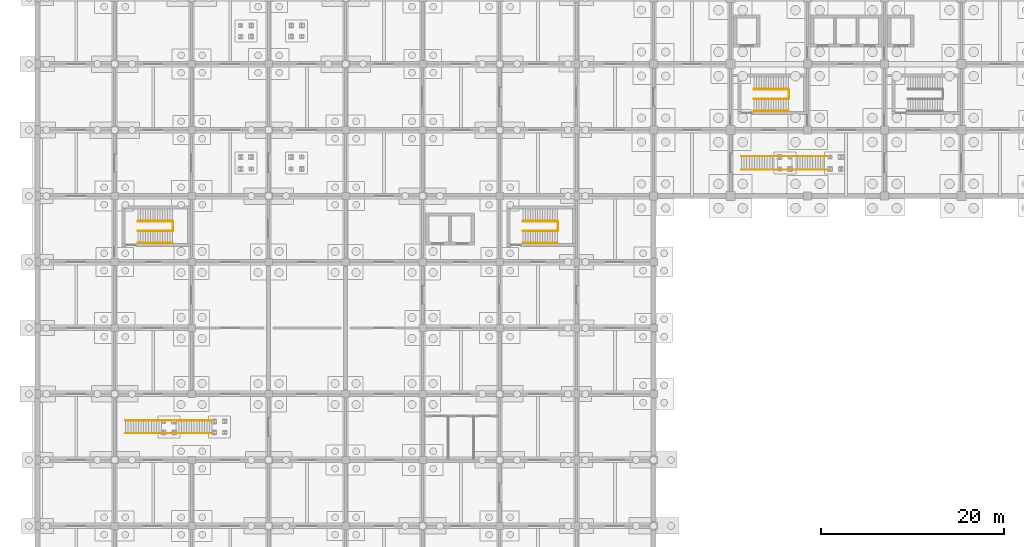
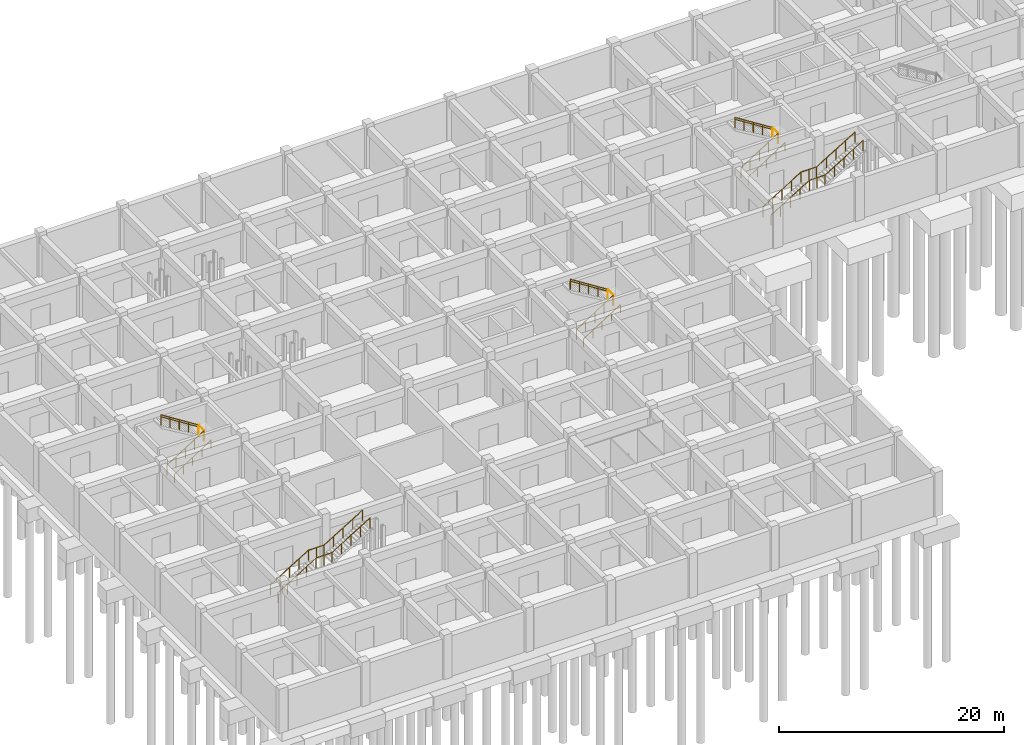
# One storey, part 37 of 38: 27 railings.
"""IFC4 building model written with IfcOpenShell, lengths in metres."""

import ifcopenshell
import ifcopenshell.guid

model = None  # the IFC model being written
_history = None  # IfcOwnerHistory: only IFC2X3 demands one
_inside = {}  # id of a spatial element -> (the spatial element, [elements in it])
_under = {}  # id of a project, library or spatial element -> (it, [spatial elements below it])
_declared = {}  # id of a project -> (the project, [libraries it declares])
_typed = {}  # id of a type object -> (the type object, [elements of that type])
_made_of = {}  # id of a material, layer set ... -> (it, [elements and type objects made of it])


def new_model(schema):
    """Start an empty IFC model of exactly this schema.

    Asked for "IFC4X3", IfcOpenShell would pick the latest addendum, in which some entities
    have other attributes; the version numbers below select the first issue.
    IFC2X3 requires an IfcOwnerHistory on every rooted entity: one is made here for all.
    """
    global model, _history
    if schema == "IFC4X3":
        model = ifcopenshell.file(schema_version=(4, 3, 0, 0))
    else:
        model = ifcopenshell.file(schema=schema)
    _inside.clear()
    _under.clear()
    _declared.clear()
    _typed.clear()
    _made_of.clear()
    _history = None
    if model.schema == "IFC2X3":
        org = make("IfcOrganization", Name="unknown")
        user = make(
            "IfcPersonAndOrganization",
            ThePerson=make("IfcPerson", FamilyName="unknown"),
            TheOrganization=org,
        )
        app = make(
            "IfcApplication",
            ApplicationDeveloper=org,
            Version="unknown",
            ApplicationFullName="unknown",
            ApplicationIdentifier="unknown",
        )
        _history = make(
            "IfcOwnerHistory",
            OwningUser=user,
            OwningApplication=app,
            ChangeAction="ADDED",
            CreationDate=0,
        )
    return model


def make(cls, **values):
    """One entity of the class cls with the attributes given. An attribute that is None is left unset."""
    return model.create_entity(
        cls, **{name: value for name, value in values.items() if value is not None}
    )


def rooted(cls, **values):
    """An entity with a GlobalId (a new one), such as an element, a storey or a relation."""
    return make(cls, GlobalId=ifcopenshell.guid.new(), OwnerHistory=_history, **values)


def si_unit(unit_type, name, prefix=None):
    """IfcSIUnit, for example si_unit("LENGTHUNIT", "METRE", prefix="MILLI")."""
    return make("IfcSIUnit", UnitType=unit_type, Prefix=prefix, Name=name)


def derived_unit(unit_type, elements):
    """IfcDerivedUnit: a product of units, each with its exponent."""
    return make(
        "IfcDerivedUnit",
        Elements=[
            make("IfcDerivedUnitElement", Unit=unit, Exponent=power)
            for unit, power in elements
        ],
        UnitType=unit_type,
    )


def assignment(units):
    """IfcUnitAssignment: the units of a project."""
    return None if units is None else make("IfcUnitAssignment", Units=units)


def point(xyz):
    """IfcCartesianPoint."""
    return None if xyz is None else make("IfcCartesianPoint", Coordinates=xyz)


def direction(xyz):
    """IfcDirection."""
    return None if xyz is None else make("IfcDirection", DirectionRatios=xyz)


def frame(location, z_axis=None, x_axis=None):
    """IfcAxis2Placement3D, a coordinate frame: its origin and axes. An axis left out is left unset."""
    return make(
        "IfcAxis2Placement3D",
        Location=point(location),
        Axis=direction(z_axis),
        RefDirection=direction(x_axis),
    )


def frame_2d(location, x_axis=None):
    """IfcAxis2Placement2D, a coordinate frame in the plane: its origin and x axis."""
    return make(
        "IfcAxis2Placement2D", Location=point(location), RefDirection=direction(x_axis)
    )


def origin():
    """The frame at (0, 0, 0) with its axes left unset."""
    return frame((0.0, 0.0, 0.0))


def origin_2d():
    """The frame at (0, 0) in the plane with its x axis left unset."""
    return frame_2d((0.0, 0.0))


def place(relative_to, where):
    """IfcLocalPlacement: puts the frame where relative to a parent placement (None: the world)."""
    return make(
        "IfcLocalPlacement", PlacementRelTo=relative_to, RelativePlacement=where
    )


def context(
    kind, dimensions, precision=None, world=None, true_north=None, identifier=None
):
    """IfcGeometricRepresentationContext, for example the 3D "Model" context."""
    return make(
        "IfcGeometricRepresentationContext",
        ContextIdentifier=identifier,
        ContextType=kind,
        CoordinateSpaceDimension=dimensions,
        Precision=precision,
        WorldCoordinateSystem=world,
        TrueNorth=true_north,
    )


def subcontext(parent, identifier, kind, view, scale=None):
    """IfcGeometricRepresentationSubContext, for example "Body" below "Model"."""
    return make(
        "IfcGeometricRepresentationSubContext",
        ContextIdentifier=identifier,
        ContextType=kind,
        ParentContext=parent,
        TargetScale=scale,
        TargetView=view,
    )


def project(units=None, contexts=None):
    """IfcProject with its units and contexts."""
    return rooted(
        "IfcProject",
        Name="project",
        RepresentationContexts=contexts,
        UnitsInContext=assignment(units),
    )


def spatial(cls, under=None, at=None, **own):
    """A site, building, storey or space (cls), placed at a placement, below another one or the project."""
    s = rooted(cls, ObjectPlacement=at, **own)
    if under is not None:
        _under.setdefault(under.id(), (under, []))[1].append(s)
    return s


def profile(cls, at=None, kind="AREA", **sizes):
    """A parametric profile (cls). Its sizes go by their IFC names, for example OverallWidth=200.0."""
    return make(cls, ProfileType=kind, Position=at, **sizes)


def circle(**sizes):
    """IfcCircleProfileDef."""
    return profile("IfcCircleProfileDef", **sizes)


def extrude(swept, where, along, depth):
    """IfcExtrudedAreaSolid: the profile swept, set in the frame where, extruded along a direction by depth."""
    return make(
        "IfcExtrudedAreaSolid",
        SweptArea=swept,
        Position=where,
        ExtrudedDirection=direction(along),
        Depth=depth,
    )


def shape(context_of_items, identifier, shape_type, items):
    """IfcShapeRepresentation: the items that make up one representation, for example the "Body"."""
    return make(
        "IfcShapeRepresentation",
        ContextOfItems=context_of_items,
        RepresentationIdentifier=identifier,
        RepresentationType=shape_type,
        Items=items,
    )


def material(Name=None, Category=None):
    """IfcMaterial."""
    return make("IfcMaterial", Name=Name, Category=Category)


def layer(
    of_material, thickness, ventilated=None, Name=None, Category=None, Priority=None
):
    """IfcMaterialLayer: one layer of a wall or slab, of a material (None: an air gap)."""
    return make(
        "IfcMaterialLayer",
        Material=of_material,
        LayerThickness=thickness,
        IsVentilated=ventilated,
        Name=Name,
        Category=Category,
        Priority=Priority,
    )


def layer_set(layers, Name=None):
    """IfcMaterialLayerSet."""
    return make("IfcMaterialLayerSet", MaterialLayers=layers, LayerSetName=Name)


def made_of(thing, what):
    """Note that an element or type object is made of a material, layer set ...; save() writes the relation."""
    if what is not None:
        _made_of.setdefault(what.id(), (what, []))[1].append(thing)
    return thing


def type_object(cls, material=None, **own):
    """A type object (cls), such as IfcWallType, which elements share."""
    return made_of(rooted(cls, **own), material)


def element(
    cls,
    number,
    at=None,
    inside=None,
    cuts=None,
    type_object=None,
    material=None,
    context=None,
    identifier="Body",
    shape_type=None,
    held_by="IfcProductDefinitionShape",
    body=None,
    shapes=None,
    **own,
):
    """One element of the class cls, such as IfcWall. Its Tag is "e" and its number.

    at: its placement. inside: the storey or other place that contains it. cuts: it is an
    opening in that element (IfcRelVoidsElement). A single representation is given by context,
    identifier, shape_type and body (its items); several are given by shapes. held_by: the class
    of the entity that holds the representations. save() writes the other relations.
    """
    e = rooted(cls, Tag="e%d" % number, ObjectPlacement=at, **own)
    if body is not None:
        shapes = [shape(context, identifier, shape_type, body)]
    if shapes is not None:
        e.Representation = make(held_by, Representations=shapes)
    if inside is not None:
        _inside.setdefault(inside.id(), (inside, []))[1].append(e)
    if cuts is not None:
        rooted(
            "IfcRelVoidsElement", RelatingBuildingElement=cuts, RelatedOpeningElement=e
        )
    if type_object is not None:
        _typed.setdefault(type_object.id(), (type_object, []))[1].append(e)
    return made_of(e, material)


def aggregate(whole, parts):
    """IfcRelAggregates: a whole, such as a stair, and the parts it consists of."""
    return rooted("IfcRelAggregates", RelatingObject=whole, RelatedObjects=parts)


def save(model, path):
    """Write the relations noted so far, then the file.

    IfcRelAggregates (storeys below a building ...), IfcRelContainedInSpatialStructure (elements
    in a storey), IfcRelDefinesByType, IfcRelAssociatesMaterial and IfcRelDeclares: one each for
    every whole, place, type object, material and project.
    """
    for whole, parts in _under.values():
        aggregate(whole, parts)
    for where, things in _inside.values():
        rooted(
            "IfcRelContainedInSpatialStructure",
            RelatedElements=things,
            RelatingStructure=where,
        )
    for kind, things in _typed.values():
        rooted("IfcRelDefinesByType", RelatedObjects=things, RelatingType=kind)
    for what, things in _made_of.values():
        rooted("IfcRelAssociatesMaterial", RelatedObjects=things, RelatingMaterial=what)
    for by, libraries in _declared.values():
        rooted("IfcRelDeclares", RelatingContext=by, RelatedDefinitions=libraries)
    model.write(path)


model = new_model("IFC4")

# Units and contexts
model_context = context("Model", 3, precision=1e-05, world=origin(), true_north=direction((0.0, 1.0)))
body_context = subcontext(model_context, "Body", "Model", "MODEL_VIEW")
ifc_project = project(units=[si_unit("LENGTHUNIT", "METRE"), si_unit("AREAUNIT", "SQUARE_METRE"), si_unit("VOLUMEUNIT", "CUBIC_METRE"), si_unit("PLANEANGLEUNIT", "RADIAN"), si_unit("MASSUNIT", "GRAM", prefix="KILO"), derived_unit("THERMALTRANSMITTANCEUNIT", [(si_unit("MASSUNIT", "GRAM", prefix="KILO"), 1), (si_unit("TIMEUNIT", "SECOND"), -3), (si_unit("THERMODYNAMICTEMPERATUREUNIT", "KELVIN"), -1)])], contexts=[model_context])

# Site, building, storey
site_placement = place(None, origin())
site = spatial("IfcSite", under=ifc_project, at=site_placement, CompositionType="ELEMENT")
building_placement = place(site_placement, origin())
building = spatial("IfcBuilding", under=site, at=building_placement, Name="Veldstrom Oceanarium and Marine Research Institute", CompositionType="ELEMENT")
storey_placement = place(building_placement, frame((0.0, 0.0, -9.60009765625)))
storey = spatial("IfcBuildingStorey", under=building, at=storey_placement, Name="B02", CompositionType="ELEMENT", Elevation=-9.60009765625)

# Railings
ifc_material_1 = material(Name="Duplex Stainless Steel Balustrade", Category="steel")
ifc_layer_1 = layer(ifc_material_1, 0.06005859375)
ifc_layer_set_1 = layer_set([ifc_layer_1], Name="ARC-RLG-GR1")
railing_type_1 = type_object("IfcRailingType", Name="ARC-RLG-GR1", PredefinedType="GUARDRAIL", material=ifc_layer_set_1)
railing_1_placement = place(storey_placement, frame((78.139892578125, 53.760009765625, 0.0)))
element("IfcRailing", 1, at=railing_1_placement, inside=storey, type_object=railing_type_1, Name="Stair Flight Guardrail ST1-B02-1", PredefinedType="GUARDRAIL", context=body_context, shape_type="SweptSolid", body=[
    extrude(circle(Radius=0.02392578125, at=origin_2d()), frame((0.0, 0.0, 1.09619140625), z_axis=(0.844199891302, 0.0, 0.536028491338), x_axis=(0.0, 1.0, 0.0)), (0.0, 0.0, 1.0), 4.4775390625),
    extrude(circle(Radius=0.02099609375, at=origin_2d()), origin(), (0.0, 0.0, 1.0), 1.072021484375),
    extrude(circle(Radius=0.02099609375, at=origin_2d()), frame((0.945068359375, 0.0, 0.60009765625)), (0.0, 0.0, 1.0), 1.072021484375),
    extrude(circle(Radius=0.02099609375, at=origin_2d()), frame((1.89013671875, 0.0, 1.2001953125)), (0.0, 0.0, 1.0), 1.072021484375),
    extrude(circle(Radius=0.02099609375, at=origin_2d()), frame((2.8349609375, 0.0, 1.800048828125)), (0.0, 0.0, 1.0), 1.072021484375),
    extrude(circle(Radius=0.02099609375, at=origin_2d()), frame((3.780029296875, 0.0, 2.400146484375)), (0.0, 0.0, 1.0), 1.072021484375),
])
railing_2_placement = place(storey_placement, frame((81.9599609375, 53.800048828125, 2.400146484375)))
element("IfcRailing", 2, at=railing_2_placement, inside=storey, type_object=railing_type_1, Name="Stair Half-Landing Guardrail ST1-B02", PredefinedType="GUARDRAIL", context=body_context, shape_type="SweptSolid", body=[
    extrude(circle(Radius=0.02392578125, at=origin_2d()), frame((0.0, 0.0, 1.09619140625), z_axis=(0.0, 1.0, 0.0), x_axis=(-1.0, 0.0, 0.0)), (0.0, 0.0, 1.0), 1.0),
    extrude(circle(Radius=0.02099609375, at=origin_2d()), origin(), (0.0, 0.0, 1.0), 1.072021484375),
    extrude(circle(Radius=0.02099609375, at=origin_2d()), frame((0.0, 1.0, 0.0)), (0.0, 0.0, 1.0), 1.072021484375),
])
railing_3_placement = place(storey_placement, frame((81.919921875, 54.840087890625, 2.400146484375)))
element("IfcRailing", 3, at=railing_3_placement, inside=storey, type_object=railing_type_1, Name="Stair Flight Guardrail ST1-B02-2", PredefinedType="GUARDRAIL", context=body_context, shape_type="SweptSolid", body=[
    extrude(circle(Radius=0.02392578125, at=origin_2d()), frame((0.0, 0.0, 1.09619140625), z_axis=(-0.844224564207, 0.0, 0.535989631606), x_axis=(0.0, -1.0, 0.0)), (0.0, 0.0, 1.0), 4.4775390625),
    extrude(circle(Radius=0.02099609375, at=origin_2d()), origin(), (0.0, 0.0, 1.0), 1.072021484375),
    extrude(circle(Radius=0.02099609375, at=origin_2d()), frame((-0.945068359375, 0.0, 0.60009765625)), (0.0, 0.0, 1.0), 1.072021484375),
    extrude(circle(Radius=0.02099609375, at=origin_2d()), frame((-1.89013671875, 0.0, 1.199951171875)), (0.0, 0.0, 1.0), 1.072021484375),
    extrude(circle(Radius=0.02099609375, at=origin_2d()), frame((-2.8349609375, 0.0, 1.7998046875)), (0.0, 0.0, 1.0), 1.072021484375),
    extrude(circle(Radius=0.02099609375, at=origin_2d()), frame((-3.780029296875, 0.0, 2.39990234375)), (0.0, 0.0, 1.0), 1.072021484375),
])
railing_4_placement = place(storey_placement, frame((10.93994140625, 39.360107421875, 0.0)))
element("IfcRailing", 4, at=railing_4_placement, inside=storey, type_object=railing_type_1, Name="Stair Flight Guardrail ST3-B02-1", PredefinedType="GUARDRAIL", context=body_context, shape_type="SweptSolid", body=[
    extrude(circle(Radius=0.02392578125, at=origin_2d()), frame((0.0, 0.0, 1.09619140625), z_axis=(0.844199891302, 0.0, 0.536028491338), x_axis=(0.0, 1.0, 0.0)), (0.0, 0.0, 1.0), 4.4775390625),
    extrude(circle(Radius=0.02099609375, at=origin_2d()), origin(), (0.0, 0.0, 1.0), 1.072021484375),
    extrude(circle(Radius=0.02099609375, at=origin_2d()), frame((0.945068359375, 0.0, 0.60009765625)), (0.0, 0.0, 1.0), 1.072021484375),
    extrude(circle(Radius=0.02099609375, at=origin_2d()), frame((1.89013671875, 0.0, 1.2001953125)), (0.0, 0.0, 1.0), 1.072021484375),
    extrude(circle(Radius=0.02099609375, at=origin_2d()), frame((2.8349609375, 0.0, 1.800048828125)), (0.0, 0.0, 1.0), 1.072021484375),
    extrude(circle(Radius=0.02099609375, at=origin_2d()), frame((3.780029296875, 0.0, 2.400146484375)), (0.0, 0.0, 1.0), 1.072021484375),
])
railing_5_placement = place(storey_placement, frame((14.760009765625, 39.39990234375, 2.400146484375)))
element("IfcRailing", 5, at=railing_5_placement, inside=storey, type_object=railing_type_1, Name="Stair Half-Landing Guardrail ST3-B02", PredefinedType="GUARDRAIL", context=body_context, shape_type="SweptSolid", body=[
    extrude(circle(Radius=0.02392578125, at=origin_2d()), frame((0.0, 0.0, 1.09619140625), z_axis=(0.0, 1.0, 0.0), x_axis=(-1.0, 0.0, 0.0)), (0.0, 0.0, 1.0), 1.0),
    extrude(circle(Radius=0.02099609375, at=origin_2d()), origin(), (0.0, 0.0, 1.0), 1.072021484375),
    extrude(circle(Radius=0.02099609375, at=origin_2d()), frame((0.0, 1.0, 0.0)), (0.0, 0.0, 1.0), 1.072021484375),
])
railing_6_placement = place(storey_placement, frame((14.719970703125, 40.43994140625, 2.400146484375)))
element("IfcRailing", 6, at=railing_6_placement, inside=storey, type_object=railing_type_1, Name="Stair Flight Guardrail ST3-B02-2", PredefinedType="GUARDRAIL", context=body_context, shape_type="SweptSolid", body=[
    extrude(circle(Radius=0.02392578125, at=origin_2d()), frame((0.0, 0.0, 1.09619140625), z_axis=(-0.844224564207, 0.0, 0.535989631606), x_axis=(0.0, -1.0, 0.0)), (0.0, 0.0, 1.0), 4.4775390625),
    extrude(circle(Radius=0.02099609375, at=origin_2d()), origin(), (0.0, 0.0, 1.0), 1.072021484375),
    extrude(circle(Radius=0.02099609375, at=origin_2d()), frame((-0.945068359375, 0.0, 0.60009765625)), (0.0, 0.0, 1.0), 1.072021484375),
    extrude(circle(Radius=0.02099609375, at=origin_2d()), frame((-1.89013671875, 0.0, 1.199951171875)), (0.0, 0.0, 1.0), 1.072021484375),
    extrude(circle(Radius=0.02099609375, at=origin_2d()), frame((-2.8349609375, 0.0, 1.7998046875)), (0.0, 0.0, 1.0), 1.072021484375),
    extrude(circle(Radius=0.02099609375, at=origin_2d()), frame((-3.780029296875, 0.0, 2.39990234375)), (0.0, 0.0, 1.0), 1.072021484375),
])
railing_7_placement = place(storey_placement, frame((52.93994140625, 39.360107421875, 0.0)))
element("IfcRailing", 7, at=railing_7_placement, inside=storey, type_object=railing_type_1, Name="Stair Flight Guardrail ST6-B02-1", PredefinedType="GUARDRAIL", context=body_context, shape_type="SweptSolid", body=[
    extrude(circle(Radius=0.02392578125, at=origin_2d()), frame((0.0, 0.0, 1.09619140625), z_axis=(0.844199891302, 0.0, 0.536028491338), x_axis=(0.0, 1.0, 0.0)), (0.0, 0.0, 1.0), 4.4775390625),
    extrude(circle(Radius=0.02099609375, at=origin_2d()), origin(), (0.0, 0.0, 1.0), 1.072021484375),
    extrude(circle(Radius=0.02099609375, at=origin_2d()), frame((0.945068359375, 0.0, 0.60009765625)), (0.0, 0.0, 1.0), 1.072021484375),
    extrude(circle(Radius=0.02099609375, at=origin_2d()), frame((1.89013671875, 0.0, 1.2001953125)), (0.0, 0.0, 1.0), 1.072021484375),
    extrude(circle(Radius=0.02099609375, at=origin_2d()), frame((2.8349609375, 0.0, 1.800048828125)), (0.0, 0.0, 1.0), 1.072021484375),
    extrude(circle(Radius=0.02099609375, at=origin_2d()), frame((3.780029296875, 0.0, 2.400146484375)), (0.0, 0.0, 1.0), 1.072021484375),
])
railing_8_placement = place(storey_placement, frame((56.760009765625, 39.39990234375, 2.400146484375)))
element("IfcRailing", 8, at=railing_8_placement, inside=storey, type_object=railing_type_1, Name="Stair Half-Landing Guardrail ST6-B02", PredefinedType="GUARDRAIL", context=body_context, shape_type="SweptSolid", body=[
    extrude(circle(Radius=0.02392578125, at=origin_2d()), frame((0.0, 0.0, 1.09619140625), z_axis=(0.0, 1.0, 0.0), x_axis=(-1.0, 0.0, 0.0)), (0.0, 0.0, 1.0), 1.0),
    extrude(circle(Radius=0.02099609375, at=origin_2d()), origin(), (0.0, 0.0, 1.0), 1.072021484375),
    extrude(circle(Radius=0.02099609375, at=origin_2d()), frame((0.0, 1.0, 0.0)), (0.0, 0.0, 1.0), 1.072021484375),
])
railing_9_placement = place(storey_placement, frame((56.719970703125, 40.43994140625, 2.400146484375)))
element("IfcRailing", 9, at=railing_9_placement, inside=storey, type_object=railing_type_1, Name="Stair Flight Guardrail ST6-B02-2", PredefinedType="GUARDRAIL", context=body_context, shape_type="SweptSolid", body=[
    extrude(circle(Radius=0.02392578125, at=origin_2d()), frame((0.0, 0.0, 1.09619140625), z_axis=(-0.844224564207, 0.0, 0.535989631606), x_axis=(0.0, -1.0, 0.0)), (0.0, 0.0, 1.0), 4.4775390625),
    extrude(circle(Radius=0.02099609375, at=origin_2d()), origin(), (0.0, 0.0, 1.0), 1.072021484375),
    extrude(circle(Radius=0.02099609375, at=origin_2d()), frame((-0.945068359375, 0.0, 0.60009765625)), (0.0, 0.0, 1.0), 1.072021484375),
    extrude(circle(Radius=0.02099609375, at=origin_2d()), frame((-1.89013671875, 0.0, 1.199951171875)), (0.0, 0.0, 1.0), 1.072021484375),
    extrude(circle(Radius=0.02099609375, at=origin_2d()), frame((-2.8349609375, 0.0, 1.7998046875)), (0.0, 0.0, 1.0), 1.072021484375),
    extrude(circle(Radius=0.02099609375, at=origin_2d()), frame((-3.780029296875, 0.0, 2.39990234375)), (0.0, 0.0, 1.0), 1.072021484375),
])
railing_10_placement = place(storey_placement, frame((9.60009765625, 17.31494140625, 0.0)))
element("IfcRailing", 10, at=railing_10_placement, inside=storey, type_object=railing_type_1, Name="Gallery Stair Flight Guard ST5-01-1S", PredefinedType="GUARDRAIL", context=body_context, shape_type="SweptSolid", body=[
    extrude(circle(Radius=0.02392578125, at=origin_2d()), frame((0.0, 0.0, 1.09619140625), z_axis=(0.852832477147, 0.0, 0.522184609045), x_axis=(0.0, 1.0, 0.0)), (0.0, 0.0, 1.0), 4.596435546875),
    extrude(circle(Radius=0.02099609375, at=origin_2d()), origin(), (0.0, 0.0, 1.0), 1.072021484375),
    extrude(circle(Radius=0.02099609375, at=origin_2d()), frame((0.97998046875, 0.0, 0.60009765625)), (0.0, 0.0, 1.0), 1.072021484375),
    extrude(circle(Radius=0.02099609375, at=origin_2d()), frame((1.9599609375, 0.0, 1.2001953125)), (0.0, 0.0, 1.0), 1.072021484375),
    extrude(circle(Radius=0.02099609375, at=origin_2d()), frame((2.93994140625, 0.0, 1.800048828125)), (0.0, 0.0, 1.0), 1.072021484375),
    extrude(circle(Radius=0.02099609375, at=origin_2d()), frame((3.919921875, 0.0, 2.400146484375)), (0.0, 0.0, 1.0), 1.072021484375),
])
railing_11_placement = place(storey_placement, frame((13.52001953125, 17.31494140625, 2.400146484375)))
element("IfcRailing", 11, at=railing_11_placement, inside=storey, type_object=railing_type_1, Name="Gallery Stair Landing Guard ST5-01-MS", PredefinedType="GUARDRAIL", context=body_context, shape_type="SweptSolid", body=[
    extrude(circle(Radius=0.02392578125, at=origin_2d()), frame((0.0, 0.0, 1.09619140625), z_axis=(1.0, 0.0, 0.0), x_axis=(0.0, 1.0, 0.0)), (0.0, 0.0, 1.0), 1.60009765625),
    extrude(circle(Radius=0.02099609375, at=origin_2d()), origin(), (0.0, 0.0, 1.0), 1.072021484375),
    extrude(circle(Radius=0.02099609375, at=origin_2d()), frame((0.800048828125, 0.0, 0.0)), (0.0, 0.0, 1.0), 1.072021484375),
    extrude(circle(Radius=0.02099609375, at=origin_2d()), frame((1.60009765625, 0.0, 0.0)), (0.0, 0.0, 1.0), 1.072021484375),
])
railing_12_placement = place(storey_placement, frame((15.1201171875, 17.31494140625, 2.400146484375)))
element("IfcRailing", 12, at=railing_12_placement, inside=storey, type_object=railing_type_1, Name="Gallery Stair Flight Guard ST5-01-2S", PredefinedType="GUARDRAIL", context=body_context, shape_type="SweptSolid", body=[
    extrude(circle(Radius=0.02392578125, at=origin_2d()), frame((0.0, 0.0, 1.09619140625), z_axis=(0.852856131449, 0.0, 0.522145974847), x_axis=(0.0, 1.0, 0.0)), (0.0, 0.0, 1.0), 4.59619140625),
    extrude(circle(Radius=0.02099609375, at=origin_2d()), origin(), (0.0, 0.0, 1.0), 1.072021484375),
    extrude(circle(Radius=0.02099609375, at=origin_2d()), frame((0.97998046875, 0.0, 0.60009765625)), (0.0, 0.0, 1.0), 1.072021484375),
    extrude(circle(Radius=0.02099609375, at=origin_2d()), frame((1.9599609375, 0.0, 1.199951171875)), (0.0, 0.0, 1.0), 1.072021484375),
    extrude(circle(Radius=0.02099609375, at=origin_2d()), frame((2.93994140625, 0.0, 1.7998046875)), (0.0, 0.0, 1.0), 1.072021484375),
    extrude(circle(Radius=0.02099609375, at=origin_2d()), frame((3.919921875, 0.0, 2.39990234375)), (0.0, 0.0, 1.0), 1.072021484375),
])
railing_13_placement = place(storey_placement, frame((9.60009765625, 18.68505859375, 0.0)))
element("IfcRailing", 13, at=railing_13_placement, inside=storey, type_object=railing_type_1, Name="Gallery Stair Flight Guard ST5-01-1N", PredefinedType="GUARDRAIL", context=body_context, shape_type="SweptSolid", body=[
    extrude(circle(Radius=0.02392578125, at=origin_2d()), frame((0.0, 0.0, 1.09619140625), z_axis=(0.852832477147, 0.0, 0.522184609045), x_axis=(0.0, 1.0, 0.0)), (0.0, 0.0, 1.0), 4.596435546875),
    extrude(circle(Radius=0.02099609375, at=origin_2d()), origin(), (0.0, 0.0, 1.0), 1.072021484375),
    extrude(circle(Radius=0.02099609375, at=origin_2d()), frame((0.97998046875, 0.0, 0.60009765625)), (0.0, 0.0, 1.0), 1.072021484375),
    extrude(circle(Radius=0.02099609375, at=origin_2d()), frame((1.9599609375, 0.0, 1.2001953125)), (0.0, 0.0, 1.0), 1.072021484375),
    extrude(circle(Radius=0.02099609375, at=origin_2d()), frame((2.93994140625, 0.0, 1.800048828125)), (0.0, 0.0, 1.0), 1.072021484375),
    extrude(circle(Radius=0.02099609375, at=origin_2d()), frame((3.919921875, 0.0, 2.400146484375)), (0.0, 0.0, 1.0), 1.072021484375),
])
railing_14_placement = place(storey_placement, frame((13.52001953125, 18.68505859375, 2.400146484375)))
element("IfcRailing", 14, at=railing_14_placement, inside=storey, type_object=railing_type_1, Name="Gallery Stair Landing Guard ST5-01-MN", PredefinedType="GUARDRAIL", context=body_context, shape_type="SweptSolid", body=[
    extrude(circle(Radius=0.02392578125, at=origin_2d()), frame((0.0, 0.0, 1.09619140625), z_axis=(1.0, 0.0, 0.0), x_axis=(0.0, 1.0, 0.0)), (0.0, 0.0, 1.0), 1.60009765625),
    extrude(circle(Radius=0.02099609375, at=origin_2d()), origin(), (0.0, 0.0, 1.0), 1.072021484375),
    extrude(circle(Radius=0.02099609375, at=origin_2d()), frame((0.800048828125, 0.0, 0.0)), (0.0, 0.0, 1.0), 1.072021484375),
    extrude(circle(Radius=0.02099609375, at=origin_2d()), frame((1.60009765625, 0.0, 0.0)), (0.0, 0.0, 1.0), 1.072021484375),
])
railing_15_placement = place(storey_placement, frame((15.1201171875, 18.68505859375, 2.400146484375)))
element("IfcRailing", 15, at=railing_15_placement, inside=storey, type_object=railing_type_1, Name="Gallery Stair Flight Guard ST5-01-2N", PredefinedType="GUARDRAIL", context=body_context, shape_type="SweptSolid", body=[
    extrude(circle(Radius=0.02392578125, at=origin_2d()), frame((0.0, 0.0, 1.09619140625), z_axis=(0.852856131449, 0.0, 0.522145974847), x_axis=(0.0, 1.0, 0.0)), (0.0, 0.0, 1.0), 4.59619140625),
    extrude(circle(Radius=0.02099609375, at=origin_2d()), origin(), (0.0, 0.0, 1.0), 1.072021484375),
    extrude(circle(Radius=0.02099609375, at=origin_2d()), frame((0.97998046875, 0.0, 0.60009765625)), (0.0, 0.0, 1.0), 1.072021484375),
    extrude(circle(Radius=0.02099609375, at=origin_2d()), frame((1.9599609375, 0.0, 1.199951171875)), (0.0, 0.0, 1.0), 1.072021484375),
    extrude(circle(Radius=0.02099609375, at=origin_2d()), frame((2.93994140625, 0.0, 1.7998046875)), (0.0, 0.0, 1.0), 1.072021484375),
    extrude(circle(Radius=0.02099609375, at=origin_2d()), frame((3.919921875, 0.0, 2.39990234375)), (0.0, 0.0, 1.0), 1.072021484375),
])
railing_16_placement = place(storey_placement, frame((76.800048828125, 46.06494140625, 0.0)))
element("IfcRailing", 16, at=railing_16_placement, inside=storey, type_object=railing_type_1, Name="Gallery Stair Flight Guard ST5-02-1S", PredefinedType="GUARDRAIL", context=body_context, shape_type="SweptSolid", body=[
    extrude(circle(Radius=0.02392578125, at=origin_2d()), frame((0.0, 0.0, 1.09619140625), z_axis=(0.852832477147, 0.0, 0.522184609045), x_axis=(0.0, 1.0, 0.0)), (0.0, 0.0, 1.0), 4.596435546875),
    extrude(circle(Radius=0.02099609375, at=origin_2d()), origin(), (0.0, 0.0, 1.0), 1.072021484375),
    extrude(circle(Radius=0.02099609375, at=origin_2d()), frame((0.97998046875, 0.0, 0.60009765625)), (0.0, 0.0, 1.0), 1.072021484375),
    extrude(circle(Radius=0.02099609375, at=origin_2d()), frame((1.9599609375, 0.0, 1.2001953125)), (0.0, 0.0, 1.0), 1.072021484375),
    extrude(circle(Radius=0.02099609375, at=origin_2d()), frame((2.93994140625, 0.0, 1.800048828125)), (0.0, 0.0, 1.0), 1.072021484375),
    extrude(circle(Radius=0.02099609375, at=origin_2d()), frame((3.919921875, 0.0, 2.400146484375)), (0.0, 0.0, 1.0), 1.072021484375),
])
railing_17_placement = place(storey_placement, frame((80.719970703125, 46.06494140625, 2.400146484375)))
element("IfcRailing", 17, at=railing_17_placement, inside=storey, type_object=railing_type_1, Name="Gallery Stair Landing Guard ST5-02-MS", PredefinedType="GUARDRAIL", context=body_context, shape_type="SweptSolid", body=[
    extrude(circle(Radius=0.02392578125, at=origin_2d()), frame((0.0, 0.0, 1.09619140625), z_axis=(1.0, 0.0, 0.0), x_axis=(0.0, 1.0, 0.0)), (0.0, 0.0, 1.0), 1.60009765625),
    extrude(circle(Radius=0.02099609375, at=origin_2d()), origin(), (0.0, 0.0, 1.0), 1.072021484375),
    extrude(circle(Radius=0.02099609375, at=origin_2d()), frame((0.800048828125, 0.0, 0.0)), (0.0, 0.0, 1.0), 1.072021484375),
    extrude(circle(Radius=0.02099609375, at=origin_2d()), frame((1.60009765625, 0.0, 0.0)), (0.0, 0.0, 1.0), 1.072021484375),
])
railing_18_placement = place(storey_placement, frame((82.320068359375, 46.06494140625, 2.400146484375)))
element("IfcRailing", 18, at=railing_18_placement, inside=storey, type_object=railing_type_1, Name="Gallery Stair Flight Guard ST5-02-2S", PredefinedType="GUARDRAIL", context=body_context, shape_type="SweptSolid", body=[
    extrude(circle(Radius=0.02392578125, at=origin_2d()), frame((0.0, 0.0, 1.09619140625), z_axis=(0.852856131449, 0.0, 0.522145974847), x_axis=(0.0, 1.0, 0.0)), (0.0, 0.0, 1.0), 4.59619140625),
    extrude(circle(Radius=0.02099609375, at=origin_2d()), origin(), (0.0, 0.0, 1.0), 1.072021484375),
    extrude(circle(Radius=0.02099609375, at=origin_2d()), frame((0.97998046875, 0.0, 0.60009765625)), (0.0, 0.0, 1.0), 1.072021484375),
    extrude(circle(Radius=0.02099609375, at=origin_2d()), frame((1.9599609375, 0.0, 1.199951171875)), (0.0, 0.0, 1.0), 1.072021484375),
    extrude(circle(Radius=0.02099609375, at=origin_2d()), frame((2.93994140625, 0.0, 1.7998046875)), (0.0, 0.0, 1.0), 1.072021484375),
    extrude(circle(Radius=0.02099609375, at=origin_2d()), frame((3.919921875, 0.0, 2.39990234375)), (0.0, 0.0, 1.0), 1.072021484375),
])
railing_19_placement = place(storey_placement, frame((76.800048828125, 47.534912109375, 0.0)))
element("IfcRailing", 19, at=railing_19_placement, inside=storey, type_object=railing_type_1, Name="Gallery Stair Flight Guard ST5-02-1N", PredefinedType="GUARDRAIL", context=body_context, shape_type="SweptSolid", body=[
    extrude(circle(Radius=0.02392578125, at=origin_2d()), frame((0.0, 0.0, 1.09619140625), z_axis=(0.852832477147, 0.0, 0.522184609045), x_axis=(0.0, 1.0, 0.0)), (0.0, 0.0, 1.0), 4.596435546875),
    extrude(circle(Radius=0.02099609375, at=origin_2d()), origin(), (0.0, 0.0, 1.0), 1.072021484375),
    extrude(circle(Radius=0.02099609375, at=origin_2d()), frame((0.97998046875, 0.0, 0.60009765625)), (0.0, 0.0, 1.0), 1.072021484375),
    extrude(circle(Radius=0.02099609375, at=origin_2d()), frame((1.9599609375, 0.0, 1.2001953125)), (0.0, 0.0, 1.0), 1.072021484375),
    extrude(circle(Radius=0.02099609375, at=origin_2d()), frame((2.93994140625, 0.0, 1.800048828125)), (0.0, 0.0, 1.0), 1.072021484375),
    extrude(circle(Radius=0.02099609375, at=origin_2d()), frame((3.919921875, 0.0, 2.400146484375)), (0.0, 0.0, 1.0), 1.072021484375),
])
railing_20_placement = place(storey_placement, frame((80.719970703125, 47.534912109375, 2.400146484375)))
element("IfcRailing", 20, at=railing_20_placement, inside=storey, type_object=railing_type_1, Name="Gallery Stair Landing Guard ST5-02-MN", PredefinedType="GUARDRAIL", context=body_context, shape_type="SweptSolid", body=[
    extrude(circle(Radius=0.02392578125, at=origin_2d()), frame((0.0, 0.0, 1.09619140625), z_axis=(1.0, 0.0, 0.0), x_axis=(0.0, 1.0, 0.0)), (0.0, 0.0, 1.0), 1.60009765625),
    extrude(circle(Radius=0.02099609375, at=origin_2d()), origin(), (0.0, 0.0, 1.0), 1.072021484375),
    extrude(circle(Radius=0.02099609375, at=origin_2d()), frame((0.800048828125, 0.0, 0.0)), (0.0, 0.0, 1.0), 1.072021484375),
    extrude(circle(Radius=0.02099609375, at=origin_2d()), frame((1.60009765625, 0.0, 0.0)), (0.0, 0.0, 1.0), 1.072021484375),
])
railing_21_placement = place(storey_placement, frame((82.320068359375, 47.534912109375, 2.400146484375)))
element("IfcRailing", 21, at=railing_21_placement, inside=storey, type_object=railing_type_1, Name="Gallery Stair Flight Guard ST5-02-2N", PredefinedType="GUARDRAIL", context=body_context, shape_type="SweptSolid", body=[
    extrude(circle(Radius=0.02392578125, at=origin_2d()), frame((0.0, 0.0, 1.09619140625), z_axis=(0.852856131449, 0.0, 0.522145974847), x_axis=(0.0, 1.0, 0.0)), (0.0, 0.0, 1.0), 4.59619140625),
    extrude(circle(Radius=0.02099609375, at=origin_2d()), origin(), (0.0, 0.0, 1.0), 1.072021484375),
    extrude(circle(Radius=0.02099609375, at=origin_2d()), frame((0.97998046875, 0.0, 0.60009765625)), (0.0, 0.0, 1.0), 1.072021484375),
    extrude(circle(Radius=0.02099609375, at=origin_2d()), frame((1.9599609375, 0.0, 1.199951171875)), (0.0, 0.0, 1.0), 1.072021484375),
    extrude(circle(Radius=0.02099609375, at=origin_2d()), frame((2.93994140625, 0.0, 1.7998046875)), (0.0, 0.0, 1.0), 1.072021484375),
    extrude(circle(Radius=0.02099609375, at=origin_2d()), frame((3.919921875, 0.0, 2.39990234375)), (0.0, 0.0, 1.0), 1.072021484375),
])
ifc_material_2 = material(Name="Brushed Stainless Steel Handrail", Category="steel")
ifc_layer_2 = layer(ifc_material_2, 0.050048828125)
ifc_layer_set_2 = layer_set([ifc_layer_2], Name="ARC-RLG-HR1")
railing_type_2 = type_object("IfcRailingType", Name="ARC-RLG-HR1", PredefinedType="HANDRAIL", material=ifc_layer_set_2)
railing_22_placement = place(storey_placement, frame((78.139892578125, 52.4599609375, 0.0)))
element("IfcRailing", 22, at=railing_22_placement, inside=storey, type_object=railing_type_2, Name="Stair Wall Handrail ST1-B02-1", PredefinedType="HANDRAIL", context=body_context, shape_type="SweptSolid", body=[
    extrude(circle(Radius=0.02392578125, at=origin_2d()), frame((0.0, 0.0, 0.8759765625), z_axis=(0.844199891302, 0.0, 0.536028491338), x_axis=(0.0, 1.0, 0.0)), (0.0, 0.0, 1.0), 4.4775390625),
    extrude(circle(Radius=0.02099609375, at=origin_2d()), origin(), (0.0, 0.0, 1.0), 0.851806640625),
    extrude(circle(Radius=0.02099609375, at=origin_2d()), frame((0.945068359375, 0.0, 0.60009765625)), (0.0, 0.0, 1.0), 0.851806640625),
    extrude(circle(Radius=0.02099609375, at=origin_2d()), frame((1.89013671875, 0.0, 1.2001953125)), (0.0, 0.0, 1.0), 0.851806640625),
    extrude(circle(Radius=0.02099609375, at=origin_2d()), frame((2.8349609375, 0.0, 1.800048828125)), (0.0, 0.0, 1.0), 0.851806640625),
    extrude(circle(Radius=0.02099609375, at=origin_2d()), frame((3.780029296875, 0.0, 2.400146484375)), (0.0, 0.0, 1.0), 0.851806640625),
])
railing_23_placement = place(storey_placement, frame((81.919921875, 54.860107421875, 2.400146484375)))
element("IfcRailing", 23, at=railing_23_placement, inside=storey, type_object=railing_type_2, Name="Stair Wall Handrail ST1-B02-2", PredefinedType="HANDRAIL", context=body_context, shape_type="SweptSolid", body=[
    extrude(circle(Radius=0.02392578125, at=origin_2d()), frame((0.0, 0.0, 0.8759765625), z_axis=(-0.844224564207, 0.0, 0.535989631606), x_axis=(0.0, -1.0, 0.0)), (0.0, 0.0, 1.0), 4.4775390625),
    extrude(circle(Radius=0.02099609375, at=origin_2d()), origin(), (0.0, 0.0, 1.0), 0.851806640625),
    extrude(circle(Radius=0.02099609375, at=origin_2d()), frame((-0.945068359375, 0.0, 0.60009765625)), (0.0, 0.0, 1.0), 0.851806640625),
    extrude(circle(Radius=0.02099609375, at=origin_2d()), frame((-1.89013671875, 0.0, 1.199951171875)), (0.0, 0.0, 1.0), 0.851806640625),
    extrude(circle(Radius=0.02099609375, at=origin_2d()), frame((-2.8349609375, 0.0, 1.7998046875)), (0.0, 0.0, 1.0), 0.851806640625),
    extrude(circle(Radius=0.02099609375, at=origin_2d()), frame((-3.780029296875, 0.0, 2.39990234375)), (0.0, 0.0, 1.0), 0.851806640625),
])
railing_24_placement = place(storey_placement, frame((10.93994140625, 38.06005859375, 0.0)))
element("IfcRailing", 24, at=railing_24_placement, inside=storey, type_object=railing_type_2, Name="Stair Wall Handrail ST3-B02-1", PredefinedType="HANDRAIL", context=body_context, shape_type="SweptSolid", body=[
    extrude(circle(Radius=0.02392578125, at=origin_2d()), frame((0.0, 0.0, 0.8759765625), z_axis=(0.844199891302, 0.0, 0.536028491338), x_axis=(0.0, 1.0, 0.0)), (0.0, 0.0, 1.0), 4.4775390625),
    extrude(circle(Radius=0.02099609375, at=origin_2d()), origin(), (0.0, 0.0, 1.0), 0.851806640625),
    extrude(circle(Radius=0.02099609375, at=origin_2d()), frame((0.945068359375, 0.0, 0.60009765625)), (0.0, 0.0, 1.0), 0.851806640625),
    extrude(circle(Radius=0.02099609375, at=origin_2d()), frame((1.89013671875, 0.0, 1.2001953125)), (0.0, 0.0, 1.0), 0.851806640625),
    extrude(circle(Radius=0.02099609375, at=origin_2d()), frame((2.8349609375, 0.0, 1.800048828125)), (0.0, 0.0, 1.0), 0.851806640625),
    extrude(circle(Radius=0.02099609375, at=origin_2d()), frame((3.780029296875, 0.0, 2.400146484375)), (0.0, 0.0, 1.0), 0.851806640625),
])
railing_25_placement = place(storey_placement, frame((14.719970703125, 40.4599609375, 2.400146484375)))
element("IfcRailing", 25, at=railing_25_placement, inside=storey, type_object=railing_type_2, Name="Stair Wall Handrail ST3-B02-2", PredefinedType="HANDRAIL", context=body_context, shape_type="SweptSolid", body=[
    extrude(circle(Radius=0.02392578125, at=origin_2d()), frame((0.0, 0.0, 0.8759765625), z_axis=(-0.844224564207, 0.0, 0.535989631606), x_axis=(0.0, -1.0, 0.0)), (0.0, 0.0, 1.0), 4.4775390625),
    extrude(circle(Radius=0.02099609375, at=origin_2d()), origin(), (0.0, 0.0, 1.0), 0.851806640625),
    extrude(circle(Radius=0.02099609375, at=origin_2d()), frame((-0.945068359375, 0.0, 0.60009765625)), (0.0, 0.0, 1.0), 0.851806640625),
    extrude(circle(Radius=0.02099609375, at=origin_2d()), frame((-1.89013671875, 0.0, 1.199951171875)), (0.0, 0.0, 1.0), 0.851806640625),
    extrude(circle(Radius=0.02099609375, at=origin_2d()), frame((-2.8349609375, 0.0, 1.7998046875)), (0.0, 0.0, 1.0), 0.851806640625),
    extrude(circle(Radius=0.02099609375, at=origin_2d()), frame((-3.780029296875, 0.0, 2.39990234375)), (0.0, 0.0, 1.0), 0.851806640625),
])
railing_26_placement = place(storey_placement, frame((52.93994140625, 38.06005859375, 0.0)))
element("IfcRailing", 26, at=railing_26_placement, inside=storey, type_object=railing_type_2, Name="Stair Wall Handrail ST6-B02-1", PredefinedType="HANDRAIL", context=body_context, shape_type="SweptSolid", body=[
    extrude(circle(Radius=0.02392578125, at=origin_2d()), frame((0.0, 0.0, 0.8759765625), z_axis=(0.844199891302, 0.0, 0.536028491338), x_axis=(0.0, 1.0, 0.0)), (0.0, 0.0, 1.0), 4.4775390625),
    extrude(circle(Radius=0.02099609375, at=origin_2d()), origin(), (0.0, 0.0, 1.0), 0.851806640625),
    extrude(circle(Radius=0.02099609375, at=origin_2d()), frame((0.945068359375, 0.0, 0.60009765625)), (0.0, 0.0, 1.0), 0.851806640625),
    extrude(circle(Radius=0.02099609375, at=origin_2d()), frame((1.89013671875, 0.0, 1.2001953125)), (0.0, 0.0, 1.0), 0.851806640625),
    extrude(circle(Radius=0.02099609375, at=origin_2d()), frame((2.8349609375, 0.0, 1.800048828125)), (0.0, 0.0, 1.0), 0.851806640625),
    extrude(circle(Radius=0.02099609375, at=origin_2d()), frame((3.780029296875, 0.0, 2.400146484375)), (0.0, 0.0, 1.0), 0.851806640625),
])
railing_27_placement = place(storey_placement, frame((56.719970703125, 40.4599609375, 2.400146484375)))
element("IfcRailing", 27, at=railing_27_placement, inside=storey, type_object=railing_type_2, Name="Stair Wall Handrail ST6-B02-2", PredefinedType="HANDRAIL", context=body_context, shape_type="SweptSolid", body=[
    extrude(circle(Radius=0.02392578125, at=origin_2d()), frame((0.0, 0.0, 0.8759765625), z_axis=(-0.844224564207, 0.0, 0.535989631606), x_axis=(0.0, -1.0, 0.0)), (0.0, 0.0, 1.0), 4.4775390625),
    extrude(circle(Radius=0.02099609375, at=origin_2d()), origin(), (0.0, 0.0, 1.0), 0.851806640625),
    extrude(circle(Radius=0.02099609375, at=origin_2d()), frame((-0.945068359375, 0.0, 0.60009765625)), (0.0, 0.0, 1.0), 0.851806640625),
    extrude(circle(Radius=0.02099609375, at=origin_2d()), frame((-1.89013671875, 0.0, 1.199951171875)), (0.0, 0.0, 1.0), 0.851806640625),
    extrude(circle(Radius=0.02099609375, at=origin_2d()), frame((-2.8349609375, 0.0, 1.7998046875)), (0.0, 0.0, 1.0), 0.851806640625),
    extrude(circle(Radius=0.02099609375, at=origin_2d()), frame((-3.780029296875, 0.0, 2.39990234375)), (0.0, 0.0, 1.0), 0.851806640625),
])

save(model, "model.ifc")
